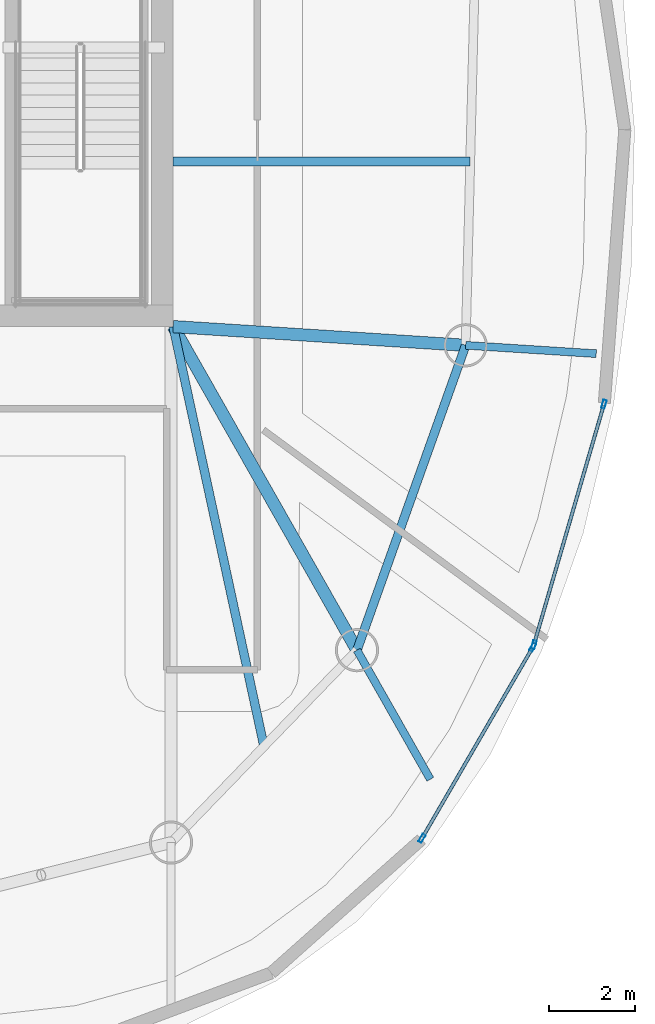
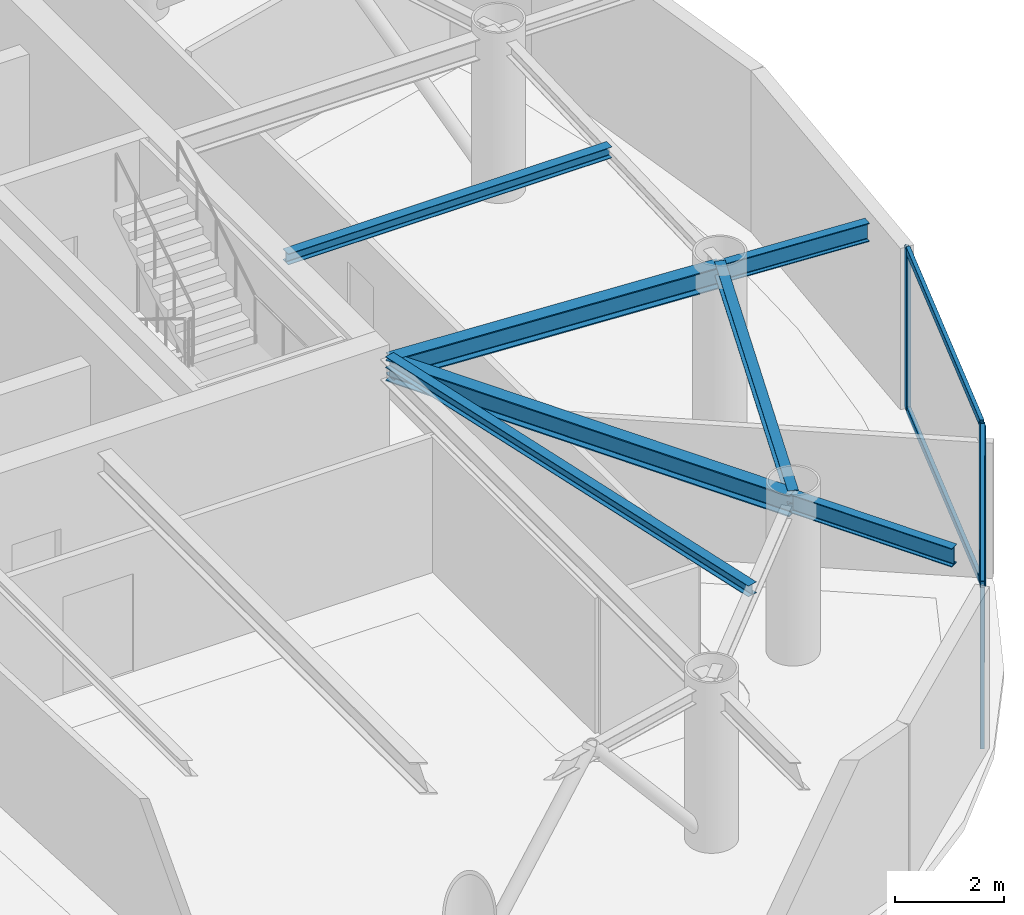
# One storey, part 8 of 20: 8 members, 7 beams, 2 elements without a shape of their own.
"""IFC4 building model written with IfcOpenShell, lengths in metres."""

from ifc_helpers import new_model, si_unit, direction, frame, origin, origin_2d, place, context, subcontext, project, spatial, hollow_rectangle, i_section, extrude, material, layer, layer_set, material_profile, profile_set, type_object, element, aggregate, save


model = new_model("IFC4")

# Units and contexts
model_context = context("Model", 3, precision=1e-05, world=origin(), true_north=direction((0.0, 1.0)))
body_context = subcontext(model_context, "Body", "Model", "MODEL_VIEW")
ifc_project = project(units=[si_unit("LENGTHUNIT", "METRE"), si_unit("AREAUNIT", "SQUARE_METRE"), si_unit("VOLUMEUNIT", "CUBIC_METRE"), si_unit("PLANEANGLEUNIT", "RADIAN"), si_unit("MASSUNIT", "GRAM", prefix="KILO")], contexts=[model_context])

# Site, building, storey
site_placement = place(None, origin())
site = spatial("IfcSite", under=ifc_project, at=site_placement, CompositionType="ELEMENT")
building_placement = place(site_placement, origin())
building = spatial("IfcBuilding", under=site, at=building_placement, Name="Bramvorn Convention Spire", CompositionType="ELEMENT")
storey_placement = place(building_placement, frame((0.0, 0.0, 269.0)))
storey = spatial("IfcBuildingStorey", under=building, at=storey_placement, Name="L68", CompositionType="ELEMENT", Elevation=269.0)

# Beams
ifc_material_1 = material(Name="Steel CSA G40.21 Grade 350 (350W)", Category="steel")
ifc_material_profile_1 = material_profile(ifc_material_1, i_section(OverallWidth=0.201904296875, OverallDepth=0.2470703125, WebThickness=0.00732421875, FlangeThickness=0.010986328125, FilletRadius=0.011962890625, at=origin_2d()))
ifc_profile_set_1 = profile_set([ifc_material_profile_1], Name="Steel CSA G40.21 Grade 350 (350W) - W250X49")
beam_type_1 = type_object("IfcBeamType", Name="BM-W250X49", PredefinedType="JOIST", material=ifc_profile_set_1)
beam_1_placement = place(storey_placement, frame((49.25, 18.550048828125, 3.50146484375), z_axis=(0.211461445939, -0.977386339623, 0.0), x_axis=(0.977386339623, 0.211461445939, 0.0)))
element("IfcBeam", 1, at=beam_1_placement, inside=storey, type_object=beam_type_1, Name="L68 composite floor joist 01", PredefinedType="JOIST", context=body_context, shape_type="SweptSolid", body=[
    extrude(i_section(OverallWidth=0.201904296875, OverallDepth=0.2470703125, WebThickness=0.00732421875, FlangeThickness=0.010986328125, FilletRadius=0.011962890625, at=origin_2d()), origin(), (0.0, 0.0, 1.0), 9.9462890625),
])
beam_2_placement = place(storey_placement, frame((49.25, 22.373046875, 3.50146484375), z_axis=(1.0, 0.0, 0.0), x_axis=(0.0, 1.0, 0.0)))
element("IfcBeam", 2, at=beam_2_placement, inside=storey, type_object=beam_type_1, Name="L68 composite floor joist 03", PredefinedType="JOIST", context=body_context, shape_type="SweptSolid", body=[
    extrude(i_section(OverallWidth=0.201904296875, OverallDepth=0.2470703125, WebThickness=0.00732421875, FlangeThickness=0.010986328125, FilletRadius=0.011962890625, at=origin_2d()), origin(), (0.0, 0.0, 1.0), 6.879150390625),
])
ifc_material_profile_2 = material_profile(ifc_material_1, i_section(OverallWidth=0.202880859375, OverallDepth=0.302978515625, WebThickness=0.007568359375, FlangeThickness=0.01318359375, FilletRadius=0.013916015625, at=origin_2d()))
ifc_profile_set_2 = profile_set([ifc_material_profile_2], Name="Steel CSA G40.21 Grade 350 (350W) - W310X60")
beam_type_2 = type_object("IfcBeamType", Name="BM-W310X60", PredefinedType="JOIST", material=ifc_profile_set_2)
beam_3_placement = place(storey_placement, frame((53.50634765625, 11.05615234375, 3.473388671875), z_axis=(0.335839090413, 0.941919373063, 0.0), x_axis=(-0.941919373063, 0.335839090413, 0.0)))
element("IfcBeam", 3, at=beam_3_placement, inside=storey, type_object=beam_type_2, Name="L68 mega-column ring beam 02", PredefinedType="JOIST", context=body_context, shape_type="SweptSolid", body=[
    extrude(i_section(OverallWidth=0.202880859375, OverallDepth=0.302978515625, WebThickness=0.007568359375, FlangeThickness=0.01318359375, FilletRadius=0.013916015625, at=origin_2d()), origin(), (0.0, 0.0, 1.0), 7.49560546875),
])
ifc_material_profile_3 = material_profile(ifc_material_1, i_section(OverallWidth=0.180908203125, OverallDepth=0.4169921875, WebThickness=0.010986328125, FlangeThickness=0.018310546875, FilletRadius=0.01611328125, at=origin_2d()))
ifc_profile_set_3 = profile_set([ifc_material_profile_3], Name="Steel CSA G40.21 Grade 350 (350W) - W410X85")
beam_type_3 = type_object("IfcBeamType", Name="BM-W410X85", PredefinedType="JOIST", material=ifc_profile_set_3)
beam_4_placement = place(storey_placement, frame((53.50634765625, 11.05615234375, 3.37646484375), z_axis=(0.4938971899, -0.869520307876, 0.0), x_axis=(0.869520307876, 0.4938971899, 0.0)))
element("IfcBeam", 4, at=beam_4_placement, inside=storey, type_object=beam_type_3, Name="L68 Sky-Garden cantilever tip girder MC02", PredefinedType="JOIST", context=body_context, shape_type="SweptSolid", body=[
    extrude(i_section(OverallWidth=0.180908203125, OverallDepth=0.4169921875, WebThickness=0.010986328125, FlangeThickness=0.018310546875, FilletRadius=0.01611328125, at=origin_2d()), origin(), (0.0, 0.0, 1.0), 3.43896484375),
])
beam_5_placement = place(storey_placement, frame((56.023681640625, 18.116455078125, 3.37646484375), z_axis=(0.997961883892, -0.063812838046, 0.0), x_axis=(0.063812838046, 0.997961883892, 0.0)))
element("IfcBeam", 5, at=beam_5_placement, inside=storey, type_object=beam_type_3, Name="L68 Sky-Garden cantilever tip girder MC03", PredefinedType="JOIST", context=body_context, shape_type="SweptSolid", body=[
    extrude(i_section(OverallWidth=0.180908203125, OverallDepth=0.4169921875, WebThickness=0.010986328125, FlangeThickness=0.018310546875, FilletRadius=0.01611328125, at=origin_2d()), origin(), (0.0, 0.0, 1.0), 3.030029296875),
])
ifc_material_profile_4 = material_profile(ifc_material_1, i_section(OverallWidth=0.283935546875, OverallDepth=0.47607421875, WebThickness=0.014892578125, FlangeThickness=0.02392578125, FilletRadius=0.01806640625, at=origin_2d()))
ifc_profile_set_4 = profile_set([ifc_material_profile_4], Name="Steel CSA G40.21 Grade 350 (350W) - W460X158")
beam_type_4 = type_object("IfcBeamType", Name="BM-W460X158", PredefinedType="SPANDREL", material=ifc_profile_set_4)
beam_6_placement = place(storey_placement, frame((49.25, 18.550048828125, 3.346923828125), z_axis=(0.493873612118, -0.869533699895, 0.0), x_axis=(0.869533699895, 0.493873612118, 0.0)))
element("IfcBeam", 6, at=beam_6_placement, inside=storey, type_object=beam_type_4, Name="L68 Sky-Garden back-span radial girder MC02", PredefinedType="SPANDREL", context=body_context, shape_type="SweptSolid", body=[
    extrude(i_section(OverallWidth=0.283935546875, OverallDepth=0.47607421875, WebThickness=0.014892578125, FlangeThickness=0.02392578125, FilletRadius=0.01806640625, at=origin_2d()), origin(), (0.0, 0.0, 1.0), 8.618408203125),
])
beam_7_placement = place(storey_placement, frame((49.25, 18.550048828125, 3.346923828125), z_axis=(0.997957536354, -0.063880792379, 0.0), x_axis=(0.063880792379, 0.997957536354, 0.0)))
element("IfcBeam", 7, at=beam_7_placement, inside=storey, type_object=beam_type_4, Name="L68 Sky-Garden back-span radial girder MC03", PredefinedType="SPANDREL", context=body_context, shape_type="SweptSolid", body=[
    extrude(i_section(OverallWidth=0.283935546875, OverallDepth=0.47607421875, WebThickness=0.014892578125, FlangeThickness=0.02392578125, FilletRadius=0.01806640625, at=origin_2d()), origin(), (0.0, 0.0, 1.0), 6.78759765625),
])

# Curtain wall, members
ifc_material_2 = material(Name="Anodised Bronze Unitised Curtain Wall", Category="aluminium")
ifc_layer = layer(ifc_material_2, 0.179931640625)
ifc_layer_set = layer_set([ifc_layer], Name="Anodised Bronze Unitised Curtain Wall - CW-OFF-FRIT")
curtain_wall_type = type_object("IfcCurtainWallType", Name="CW-OFF-FRIT", PredefinedType="USERDEFINED", material=ifc_layer_set)
curtain_wall_1_placement = place(storey_placement, origin())
curtain_wall_1 = element("IfcCurtainWall", 8, at=curtain_wall_1_placement, inside=storey, type_object=curtain_wall_type, Name="L68 fritted glass curtain wall 02", ObjectType="UNITISED CURTAIN WALL", PredefinedType="USERDEFINED")
ifc_material_3 = material(Name="Anodised Bronze Aluminium 6063-T6", Category="aluminium")
ifc_material_profile_5 = material_profile(ifc_material_3, hollow_rectangle(XDim=0.080078125, YDim=0.199951171875, WallThickness=0.00390625, InnerFilletRadius=0.0009765625, OuterFilletRadius=0.00390625, at=origin_2d()))
ifc_profile_set_5 = profile_set([ifc_material_profile_5], Name="Anodised Bronze Aluminium 6063-T6 - CWM80X200")
member_type_1 = type_object("IfcMemberType", Name="CW-MUL-180", PredefinedType="MULLION", material=ifc_profile_set_5)
member_1_placement = place(storey_placement, frame((57.580078125, 11.12841796875, 0.0), z_axis=(0.0, 0.0, 1.0), x_axis=(0.865197061221, -0.501431994645, 0.0)))
member_1 = element("IfcMember", 9, at=member_1_placement, type_object=member_type_1, Name="CW3 mullion 1", PredefinedType="MULLION", context=body_context, shape_type="SweptSolid", body=[
    extrude(hollow_rectangle(XDim=0.080078125, YDim=0.199951171875, WallThickness=0.00390625, InnerFilletRadius=0.0009765625, OuterFilletRadius=0.00390625, at=origin_2d()), origin(), (0.0, 0.0, 1.0), 3.625),
])
member_2_placement = place(storey_placement, frame((55.01318359375, 6.699462890625, 0.0), z_axis=(0.0, 0.0, 1.0), x_axis=(0.865197061221, -0.501431994645, 0.0)))
member_2 = element("IfcMember", 10, at=member_2_placement, type_object=member_type_1, Name="CW3 mullion 2", PredefinedType="MULLION", context=body_context, shape_type="SweptSolid", body=[
    extrude(hollow_rectangle(XDim=0.080078125, YDim=0.199951171875, WallThickness=0.00390625, InnerFilletRadius=0.0009765625, OuterFilletRadius=0.00390625, at=origin_2d()), origin(), (0.0, 0.0, 1.0), 3.625),
])

curtain_wall_2_placement = place(storey_placement, origin())
curtain_wall_2 = element("IfcCurtainWall", 11, at=curtain_wall_2_placement, inside=storey, type_object=curtain_wall_type, Name="L68 fritted glass curtain wall 03", ObjectType="UNITISED CURTAIN WALL", PredefinedType="USERDEFINED")
member_3_placement = place(storey_placement, frame((59.22705078125, 16.751220703125, 0.0), z_axis=(0.0, 0.0, 1.0), x_axis=(0.96001968369, -0.279932504237, 0.0)))
member_3 = element("IfcMember", 12, at=member_3_placement, type_object=member_type_1, Name="CW3 mullion 1", PredefinedType="MULLION", context=body_context, shape_type="SweptSolid", body=[
    extrude(hollow_rectangle(XDim=0.080078125, YDim=0.199951171875, WallThickness=0.00390625, InnerFilletRadius=0.0009765625, OuterFilletRadius=0.00390625, at=origin_2d()), origin(), (0.0, 0.0, 1.0), 3.625),
])
member_4_placement = place(storey_placement, frame((57.603515625, 11.18310546875, 0.0), z_axis=(0.0, 0.0, 1.0), x_axis=(0.96001968369, -0.279932504237, 0.0)))
member_4 = element("IfcMember", 13, at=member_4_placement, type_object=member_type_1, Name="CW3 mullion 2", PredefinedType="MULLION", context=body_context, shape_type="SweptSolid", body=[
    extrude(hollow_rectangle(XDim=0.080078125, YDim=0.199951171875, WallThickness=0.00390625, InnerFilletRadius=0.0009765625, OuterFilletRadius=0.00390625, at=origin_2d()), origin(), (0.0, 0.0, 1.0), 3.625),
])

# Member
ifc_material_profile_6 = material_profile(ifc_material_3, hollow_rectangle(XDim=0.080078125, YDim=0.159912109375, WallThickness=0.00390625, InnerFilletRadius=0.0009765625, OuterFilletRadius=0.00390625, at=origin_2d()))
ifc_profile_set_6 = profile_set([ifc_material_profile_6], Name="Anodised Bronze Aluminium 6063-T6 - CWT80X160")
member_type_2 = type_object("IfcMemberType", Name="CW-TRN-150", PredefinedType="USERDEFINED", material=ifc_profile_set_6)
member_5_placement = place(storey_placement, frame((57.56494140625, 11.1025390625, 0.030029296875), z_axis=(-0.501435686781, -0.865194921403, 0.0), x_axis=(0.865194921403, -0.501435686781, 0.0)))
member_5 = element("IfcMember", 14, at=member_5_placement, type_object=member_type_2, Name="CW3 transom 1.1", ObjectType="TRANSOM", PredefinedType="USERDEFINED", context=body_context, shape_type="SweptSolid", body=[
    extrude(hollow_rectangle(XDim=0.080078125, YDim=0.159912109375, WallThickness=0.00390625, InnerFilletRadius=0.0009765625, OuterFilletRadius=0.00390625, at=origin_2d()), origin(), (0.0, 0.0, 1.0), 5.05908203125),
])

member_6_placement = place(storey_placement, frame((57.56494140625, 11.1025390625, 3.594970703125), z_axis=(-0.501435686781, -0.865194921403, 0.0), x_axis=(0.865194921403, -0.501435686781, 0.0)))
member_6 = element("IfcMember", 15, at=member_6_placement, type_object=member_type_2, Name="CW3 transom 1.2", ObjectType="TRANSOM", PredefinedType="USERDEFINED", context=body_context, shape_type="SweptSolid", body=[
    extrude(hollow_rectangle(XDim=0.080078125, YDim=0.159912109375, WallThickness=0.00390625, InnerFilletRadius=0.0009765625, OuterFilletRadius=0.00390625, at=origin_2d()), origin(), (0.0, 0.0, 1.0), 5.05908203125),
])

aggregate(curtain_wall_1, [member_1, member_2, member_5, member_6])

member_7_placement = place(storey_placement, frame((59.21875, 16.722412109375, 0.030029296875), z_axis=(-0.279952634838, -0.960013813571, 0.0), x_axis=(0.960013813571, -0.279952634838, 0.0)))
member_7 = element("IfcMember", 16, at=member_7_placement, type_object=member_type_2, Name="CW3 transom 1.1", ObjectType="TRANSOM", PredefinedType="USERDEFINED", context=body_context, shape_type="SweptSolid", body=[
    extrude(hollow_rectangle(XDim=0.080078125, YDim=0.159912109375, WallThickness=0.00390625, InnerFilletRadius=0.0009765625, OuterFilletRadius=0.00390625, at=origin_2d()), origin(), (0.0, 0.0, 1.0), 5.739990234375),
])

member_8_placement = place(storey_placement, frame((59.21875, 16.722412109375, 3.594970703125), z_axis=(-0.279952634838, -0.960013813571, 0.0), x_axis=(0.960013813571, -0.279952634838, 0.0)))
member_8 = element("IfcMember", 17, at=member_8_placement, type_object=member_type_2, Name="CW3 transom 1.2", ObjectType="TRANSOM", PredefinedType="USERDEFINED", context=body_context, shape_type="SweptSolid", body=[
    extrude(hollow_rectangle(XDim=0.080078125, YDim=0.159912109375, WallThickness=0.00390625, InnerFilletRadius=0.0009765625, OuterFilletRadius=0.00390625, at=origin_2d()), origin(), (0.0, 0.0, 1.0), 5.739990234375),
])

aggregate(curtain_wall_2, [member_3, member_4, member_7, member_8])

save(model, "model.ifc")
